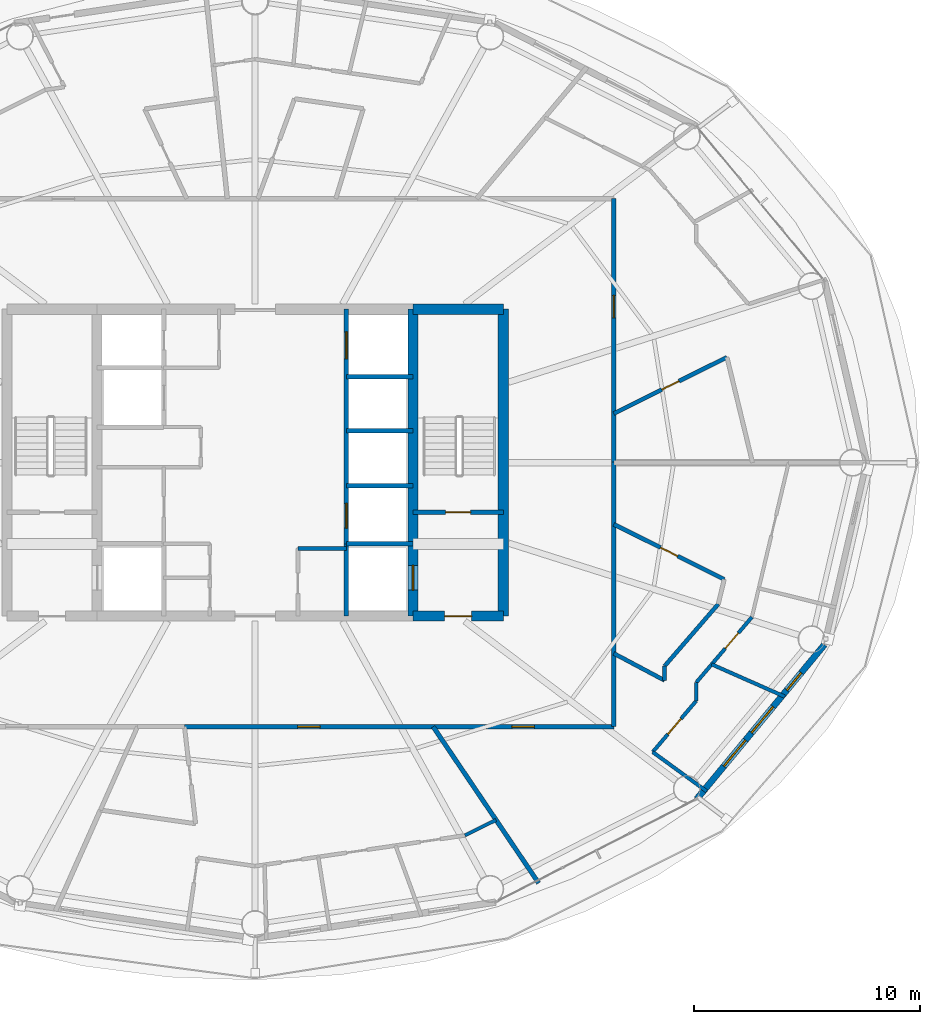
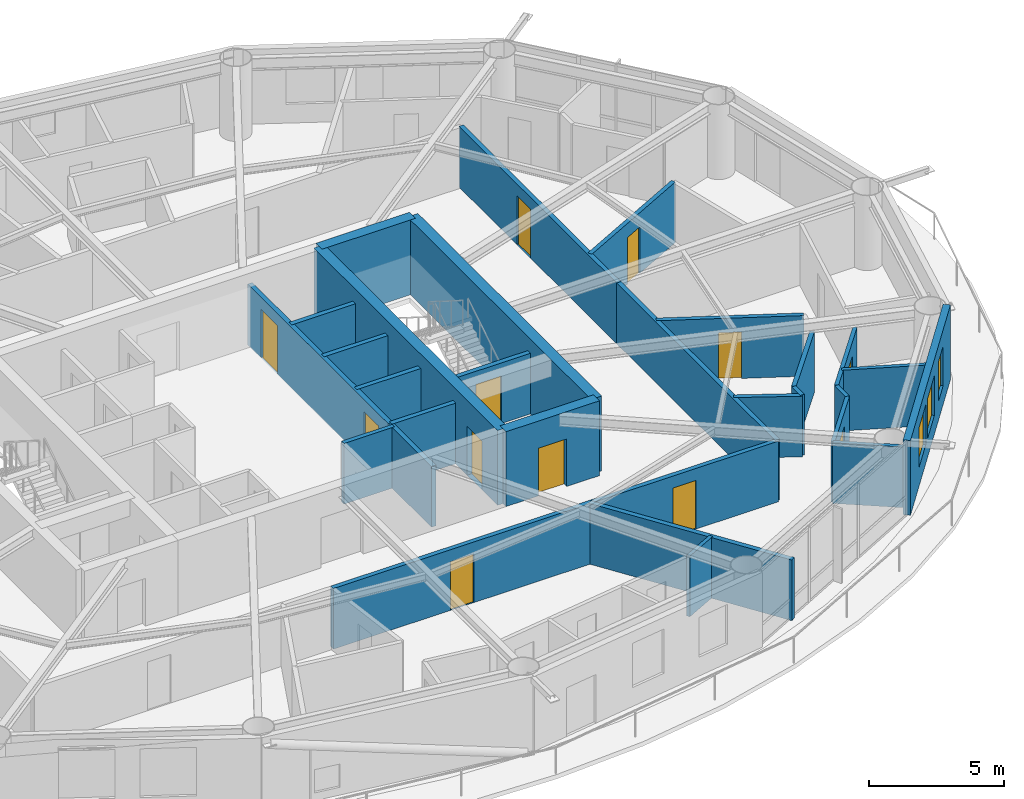
# One storey, part 22 of 28: 28 walls, 12 doors, 3 windows, 15 openings.
"""IFC4 building model written with IfcOpenShell, lengths in metres."""

from ifc_helpers import new_model, si_unit, direction, frame, frame_2d, origin, place, context, subcontext, project, spatial, rectangle, extrude, material, layer, layer_set, type_object, element, fill, save


model = new_model("IFC4")

# Units and contexts
model_context = context("Model", 3, precision=1e-05, world=origin(), true_north=direction((0.0, 1.0)))
body_context = subcontext(model_context, "Body", "Model", "MODEL_VIEW")
ifc_project = project(units=[si_unit("LENGTHUNIT", "METRE"), si_unit("AREAUNIT", "SQUARE_METRE"), si_unit("VOLUMEUNIT", "CUBIC_METRE"), si_unit("PLANEANGLEUNIT", "RADIAN"), si_unit("MASSUNIT", "GRAM", prefix="KILO")], contexts=[model_context])

# Site, building, storey
site_placement = place(None, origin())
site = spatial("IfcSite", under=ifc_project, at=site_placement, CompositionType="ELEMENT")
building_placement = place(site_placement, origin())
building = spatial("IfcBuilding", under=site, at=building_placement, Name="Sarneth Arch Tower", CompositionType="ELEMENT")
storey_placement = place(building_placement, frame((0.0, 0.0, 179.39990234375)))
storey = spatial("IfcBuildingStorey", under=building, at=storey_placement, Name="L45", CompositionType="ELEMENT", Elevation=179.39990234375)

# Wall, opening, door
ifc_material_1 = material(Name="Concrete C50/60", Category="concrete")
ifc_layer_1 = layer(ifc_material_1, 0.449951171875)
ifc_layer_set_1 = layer_set([ifc_layer_1], Name="Concrete C50/60")
wall_type_1 = type_object("IfcWallType", Name="WALL-CORE-450", PredefinedType="SHEAR", material=ifc_layer_set_1)
wall_1_placement = place(storey_placement, frame((55.0, 35.199951171875, 0.0), z_axis=(0.0, 0.0, 1.0), x_axis=(1.0, 0.0, 0.0)))
wall_1 = element("IfcWall", 1, at=wall_1_placement, inside=storey, type_object=wall_type_1, Name="L45 Core shear wall S-E", PredefinedType="SHEAR", context=body_context, shape_type="SweptSolid", body=[
    extrude(rectangle(XDim=4.0, YDim=0.449951171875, at=frame_2d((2.0, 0.0))), origin(), (0.0, 0.0, 1.0), 3.380126953125),
])
opening_1_placement = place(wall_1_placement, frame((1.39990234375, 0.0, 0.0)))
opening_1 = element("IfcOpeningElement", 2, at=opening_1_placement, cuts=wall_1, Name="Opening FD-02", PredefinedType="OPENING", context=body_context, shape_type="SweptSolid", body=[
    extrude(rectangle(XDim=1.199951171875, YDim=2.14990234375, at=frame_2d((0.60009765625, 1.074951171875))), frame((0.0, 0.23486328125, 0.0), z_axis=(0.0, -1.0, 0.0), x_axis=(1.0, 0.0, 0.0)), (0.0, 0.0, 1.0), 0.469970703125),
])
ifc_material_2 = material(Name="Galvanised Steel S275 fire door set", Category="steel")
door_type_1 = type_object("IfcDoorType", Name="DR-FD90-1200", OperationType="SINGLE_SWING_LEFT", PredefinedType="DOOR", material=ifc_material_2)
door_1_placement = place(opening_1_placement, origin())
door_1 = element("IfcDoor", 3, at=door_1_placement, inside=storey, type_object=door_type_1, Name="L45 Firefighting lobby 2 exit door", OperationType="SINGLE_SWING_RIGHT", OverallHeight=2.14990234375, OverallWidth=1.199951171875, PredefinedType="DOOR", context=body_context, shape_type="SweptSolid", body=[
    extrude(rectangle(XDim=1.199951171875, YDim=2.14990234375, at=frame_2d((0.60009765625, 1.074951171875))), frame((0.0, 0.02490234375, 0.0), z_axis=(0.0, -1.0, 0.0), x_axis=(1.0, 0.0, 0.0)), (0.0, 0.0, 1.0), 0.050048828125),
])
fill(opening_1, door_1)

# Walls
wall_2_placement = place(storey_placement, frame((55.0, 48.800048828125, 0.0), z_axis=(0.0, 0.0, 1.0), x_axis=(1.0, 0.0, 0.0)))
element("IfcWall", 4, at=wall_2_placement, inside=storey, type_object=wall_type_1, Name="L45 Core shear wall N-E", PredefinedType="SHEAR", context=body_context, shape_type="SweptSolid", body=[
    extrude(rectangle(XDim=4.0, YDim=0.449951171875, at=frame_2d((2.0, 0.0))), origin(), (0.0, 0.0, 1.0), 3.380126953125),
])
wall_3_placement = place(storey_placement, frame((59.0, 35.199951171875, 0.0), z_axis=(0.0, 0.0, 1.0), x_axis=(0.0, 1.0, 0.0)))
element("IfcWall", 5, at=wall_3_placement, inside=storey, type_object=wall_type_1, Name="L45 Core shear wall E", PredefinedType="SHEAR", context=body_context, shape_type="SweptSolid", body=[
    extrude(rectangle(XDim=13.60009765625, YDim=0.449951171875, at=frame_2d((6.800048828125, 0.0))), origin(), (0.0, 0.0, 1.0), 3.380126953125),
])

# Wall, opening, door
wall_4_placement = place(storey_placement, frame((55.0, 35.199951171875, 0.0), z_axis=(0.0, 0.0, 1.0), x_axis=(0.0, 1.0, 0.0)))
wall_4 = element("IfcWall", 6, at=wall_4_placement, inside=storey, type_object=wall_type_1, Name="L45 Core shear wall WEB-E", PredefinedType="SHEAR", context=body_context, shape_type="SweptSolid", body=[
    extrude(rectangle(XDim=13.60009765625, YDim=0.449951171875, at=frame_2d((6.800048828125, 0.0))), origin(), (0.0, 0.0, 1.0), 3.380126953125),
])
opening_2_placement = place(wall_4_placement, frame((1.14990234375, 0.0, 0.0)))
opening_2 = element("IfcOpeningElement", 7, at=opening_2_placement, cuts=wall_4, Name="Opening LD-1", PredefinedType="OPENING", context=body_context, shape_type="SweptSolid", body=[
    extrude(rectangle(XDim=1.10009765625, YDim=2.199951171875, at=frame_2d((0.550048828125, 1.10009765625))), frame((0.0, 0.23486328125, 0.0), z_axis=(0.0, -1.0, 0.0), x_axis=(1.0, 0.0, 0.0)), (0.0, 0.0, 1.0), 0.469970703125),
])
ifc_material_3 = material(Name="Brushed Stainless Steel 304 lift landing door", Category="steel")
door_type_2 = type_object("IfcDoorType", Name="DR-LIFT-SLIDE-1100", OperationType="SLIDING_TO_LEFT", PredefinedType="DOOR", material=ifc_material_3)
door_2_placement = place(opening_2_placement, origin())
door_2 = element("IfcDoor", 8, at=door_2_placement, inside=storey, type_object=door_type_2, Name="L45 Firefighting lift landing door FL-2", OperationType="SLIDING_TO_RIGHT", OverallHeight=2.199951171875, OverallWidth=1.10009765625, PredefinedType="DOOR", context=body_context, shape_type="SweptSolid", body=[
    extrude(rectangle(XDim=1.10009765625, YDim=2.199951171875, at=frame_2d((0.550048828125, 1.10009765625))), frame((0.0, 0.02490234375, 0.0), z_axis=(0.0, -1.0, 0.0), x_axis=(1.0, 0.0, 0.0)), (0.0, 0.0, 1.0), 0.050048828125),
])
fill(opening_2, door_2)

# Wall, openings, doors
ifc_material_4 = material(Name="Double steel-stud corridor fire wall", Category="steel")
ifc_layer_2 = layer(ifc_material_4, 0.18994140625)
ifc_layer_set_2 = layer_set([ifc_layer_2], Name="Double steel-stud corridor fire wall")
wall_type_2 = type_object("IfcWallType", Name="WALL-CORR-190", PredefinedType="PARTITIONING", material=ifc_layer_set_2)
wall_5_placement = place(storey_placement, frame((44.872802734375, 30.300048828125, 0.0), z_axis=(0.0, 0.0, 1.0), x_axis=(1.0, 0.0, 0.0)))
wall_5 = element("IfcWall", 9, at=wall_5_placement, inside=storey, type_object=wall_type_2, Name="L45 Interior partition W-L45-TP-015", PredefinedType="PARTITIONING", context=body_context, shape_type="SweptSolid", body=[
    extrude(rectangle(XDim=19.027099609375, YDim=0.18994140625, at=frame_2d((9.513671875, 0.0))), origin(), (0.0, 0.0, 1.0), 2.739990234375),
])
opening_3_placement = place(wall_5_placement, frame((5.009521484375, 0.0, 0.0)))
opening_3 = element("IfcOpeningElement", 10, at=opening_3_placement, cuts=wall_5, Name="Opening FD-08", PredefinedType="OPENING", context=body_context, shape_type="SweptSolid", body=[
    extrude(rectangle(XDim=1.0, YDim=2.199951171875, at=frame_2d((0.5, 1.10009765625))), frame((0.0, 0.10498046875, 0.0), z_axis=(0.0, -1.0, 0.0), x_axis=(1.0, 0.0, 0.0)), (0.0, 0.0, 1.0), 0.2099609375),
])
opening_4_placement = place(wall_5_placement, frame((14.503662109375, 0.0, 0.0)))
opening_4 = element("IfcOpeningElement", 11, at=opening_4_placement, cuts=wall_5, Name="Opening FD-08", PredefinedType="OPENING", context=body_context, shape_type="SweptSolid", body=[
    extrude(rectangle(XDim=1.0, YDim=2.199951171875, at=frame_2d((0.5, 1.10009765625))), frame((0.0, 0.10498046875, 0.0), z_axis=(0.0, -1.0, 0.0), x_axis=(1.0, 0.0, 0.0)), (0.0, 0.0, 1.0), 0.2099609375),
])
ifc_material_5 = material(Name="Hardwood timber acoustic fire door", Category="wood")
door_type_3 = type_object("IfcDoorType", Name="DR-FD60-1000", OperationType="SINGLE_SWING_LEFT", PredefinedType="DOOR", material=ifc_material_5)
door_3_placement = place(opening_3_placement, origin())
door_3 = element("IfcDoor", 12, at=door_3_placement, inside=storey, type_object=door_type_3, Name="L45 Interior door DR-L45-U6-ENT", OperationType="SINGLE_SWING_LEFT", OverallHeight=2.199951171875, OverallWidth=1.0, PredefinedType="DOOR", context=body_context, shape_type="SweptSolid", body=[
    extrude(rectangle(XDim=1.0, YDim=2.199951171875, at=frame_2d((0.5, 1.10009765625))), frame((0.0, 0.02490234375, 0.0), z_axis=(0.0, -1.0, 0.0), x_axis=(1.0, 0.0, 0.0)), (0.0, 0.0, 1.0), 0.050048828125),
])
fill(opening_3, door_3)
door_4_placement = place(opening_4_placement, origin())
door_4 = element("IfcDoor", 13, at=door_4_placement, inside=storey, type_object=door_type_3, Name="L45 Interior door DR-L45-U7-ENT", OperationType="SINGLE_SWING_LEFT", OverallHeight=2.199951171875, OverallWidth=1.0, PredefinedType="DOOR", context=body_context, shape_type="SweptSolid", body=[
    extrude(rectangle(XDim=1.0, YDim=2.199951171875, at=frame_2d((0.5, 1.10009765625))), frame((0.0, 0.02490234375, 0.0), z_axis=(0.0, -1.0, 0.0), x_axis=(1.0, 0.0, 0.0)), (0.0, 0.0, 1.0), 0.050048828125),
])
fill(opening_4, door_4)

# Wall, opening, door
wall_6_placement = place(storey_placement, frame((63.89990234375, 53.699951171875, 0.0), z_axis=(0.0, 0.0, 1.0), x_axis=(0.0, -1.0, 0.0)))
wall_6 = element("IfcWall", 14, at=wall_6_placement, inside=storey, type_object=wall_type_2, Name="L45 Interior partition W-L45-TP-002", PredefinedType="PARTITIONING", context=body_context, shape_type="SweptSolid", body=[
    extrude(rectangle(XDim=11.73193359375, YDim=0.18994140625, at=frame_2d((5.865966796875, 0.0))), origin(), (0.0, 0.0, 1.0), 2.739990234375),
])
opening_5_placement = place(wall_6_placement, frame((4.280517578125, 0.0, 0.0)))
opening_5 = element("IfcOpeningElement", 15, at=opening_5_placement, cuts=wall_6, Name="Opening FD-08", PredefinedType="OPENING", context=body_context, shape_type="SweptSolid", body=[
    extrude(rectangle(XDim=1.0, YDim=2.199951171875, at=frame_2d((0.5, 1.10009765625))), frame((0.0, 0.10498046875, 0.0), z_axis=(0.0, -1.0, 0.0), x_axis=(1.0, 0.0, 0.0)), (0.0, 0.0, 1.0), 0.2099609375),
])
door_5_placement = place(opening_5_placement, origin())
door_5 = element("IfcDoor", 16, at=door_5_placement, inside=storey, type_object=door_type_3, Name="L45 Interior door DR-L45-U1-ENT", OperationType="SINGLE_SWING_LEFT", OverallHeight=2.199951171875, OverallWidth=1.0, PredefinedType="DOOR", context=body_context, shape_type="SweptSolid", body=[
    extrude(rectangle(XDim=1.0, YDim=2.199951171875, at=frame_2d((0.5, 1.10009765625))), frame((0.0, 0.02490234375, 0.0), z_axis=(0.0, -1.0, 0.0), x_axis=(1.0, 0.0, 0.0)), (0.0, 0.0, 1.0), 0.050048828125),
])
fill(opening_5, door_5)

# Wall
wall_7_placement = place(storey_placement, frame((63.89990234375, 42.031982421875, 0.0), z_axis=(0.0, 0.0, 1.0), x_axis=(0.0, -1.0, 0.0)))
element("IfcWall", 17, at=wall_7_placement, inside=storey, type_object=wall_type_2, Name="L45 Interior partition W-L45-TP-020", PredefinedType="PARTITIONING", context=body_context, shape_type="SweptSolid", body=[
    extrude(rectangle(XDim=11.73193359375, YDim=0.18994140625, at=frame_2d((5.865966796875, 0.0))), origin(), (0.0, 0.0, 1.0), 2.739990234375),
])

# Wall, openings, windows
ifc_material_6 = material(Name="Extruded terracotta rainscreen on Concrete C40/50 backing", Category="masonry")
ifc_layer_3 = layer(ifc_material_6, 0.280029296875)
ifc_layer_set_3 = layer_set([ifc_layer_3], Name="Extruded terracotta rainscreen on Concrete C40/50 backing")
wall_type_3 = type_object("IfcWallType", Name="WALL-EXT-TERRA-280", PredefinedType="SOLIDWALL", material=ifc_layer_set_3)
wall_8_placement = place(storey_placement, frame((67.576171875, 27.09423828125, 0.0), z_axis=(0.0, 0.0, 1.0), x_axis=(0.637333477683, 0.770588111915, 0.0)))
wall_8 = element("IfcWall", 18, at=wall_8_placement, inside=storey, type_object=wall_type_3, Name="L45 Terracotta perimeter wall 15", PredefinedType="SOLIDWALL", context=body_context, shape_type="SweptSolid", body=[
    extrude(rectangle(XDim=8.874755859375, YDim=0.280029296875, at=frame_2d((4.4375, 0.0))), origin(), (0.0, 0.0, 1.0), 3.380126953125),
])
opening_6_placement = place(wall_8_placement, frame((1.885009765625, 0.0, 0.85009765625)))
opening_6 = element("IfcOpeningElement", 19, at=opening_6_placement, cuts=wall_8, Name="Opening W-07", PredefinedType="OPENING", context=body_context, shape_type="SweptSolid", body=[
    extrude(rectangle(XDim=1.5, YDim=1.800048828125, at=frame_2d((0.75, 0.89990234375))), frame((0.0, 0.14990234375, 0.0), z_axis=(0.0, -1.0, 0.0), x_axis=(1.0, 0.0, 0.0)), (0.0, 0.0, 1.0), 0.300048828125),
])
opening_7_placement = place(wall_8_placement, frame((3.80859375, 0.0, 0.85009765625)))
opening_7 = element("IfcOpeningElement", 20, at=opening_7_placement, cuts=wall_8, Name="Opening W-07", PredefinedType="OPENING", context=body_context, shape_type="SweptSolid", body=[
    extrude(rectangle(XDim=1.5, YDim=1.800048828125, at=frame_2d((0.75, 0.89990234375))), frame((0.0, 0.14990234375, 0.0), z_axis=(0.0, -1.0, 0.0), x_axis=(1.0, 0.0, 0.0)), (0.0, 0.0, 1.0), 0.300048828125),
])
opening_8_placement = place(wall_8_placement, frame((6.2646484375, 0.0, 0.85009765625)))
opening_8 = element("IfcOpeningElement", 21, at=opening_8_placement, cuts=wall_8, Name="Opening W-11", PredefinedType="OPENING", context=body_context, shape_type="SweptSolid", body=[
    extrude(rectangle(XDim=1.0, YDim=1.800048828125, at=frame_2d((0.5, 0.89990234375))), frame((0.0, 0.14990234375, 0.0), z_axis=(0.0, -1.0, 0.0), x_axis=(1.0, 0.0, 0.0)), (0.0, 0.0, 1.0), 0.300048828125),
])
ifc_material_7 = material(Name="Thermally broken Aluminium 6063-T6 and low-e laminated IGU", Category="aluminium")
window_type_1 = type_object("IfcWindowType", Name="WIN-TWR-1000x1800", PartitioningType="SINGLE_PANEL", PredefinedType="WINDOW", material=ifc_material_7)
window_1_placement = place(opening_8_placement, origin())
window_1 = element("IfcWindow", 22, at=window_1_placement, inside=storey, type_object=window_type_1, Name="L45 Exterior window 15C", OverallHeight=1.800048828125, OverallWidth=1.0, PartitioningType="SINGLE_PANEL", PredefinedType="WINDOW", context=body_context, shape_type="SweptSolid", body=[
    extrude(rectangle(XDim=1.0, YDim=1.800048828125, at=frame_2d((0.5, 0.89990234375))), frame((0.0, 0.030029296875, 0.0), z_axis=(0.0, -1.0, 0.0), x_axis=(1.0, 0.0, 0.0)), (0.0, 0.0, 1.0), 0.06005859375),
])
fill(opening_8, window_1)
ifc_material_8 = material(Name="Thermally broken Aluminium 6063-T6 and low-e laminated IGU", Category="aluminium")
window_type_2 = type_object("IfcWindowType", Name="WIN-TWR-1500x1800", PartitioningType="SINGLE_PANEL", PredefinedType="WINDOW", material=ifc_material_8)
window_2_placement = place(opening_6_placement, origin())
window_2 = element("IfcWindow", 23, at=window_2_placement, inside=storey, type_object=window_type_2, Name="L45 Exterior window 15A", OverallHeight=1.800048828125, OverallWidth=1.5, PartitioningType="SINGLE_PANEL", PredefinedType="WINDOW", context=body_context, shape_type="SweptSolid", body=[
    extrude(rectangle(XDim=1.5, YDim=1.800048828125, at=frame_2d((0.75, 0.89990234375))), frame((0.0, 0.030029296875, 0.0), z_axis=(0.0, -1.0, 0.0), x_axis=(1.0, 0.0, 0.0)), (0.0, 0.0, 1.0), 0.06005859375),
])
fill(opening_6, window_2)
window_3_placement = place(opening_7_placement, origin())
window_3 = element("IfcWindow", 24, at=window_3_placement, inside=storey, type_object=window_type_2, Name="L45 Exterior window 15B", OverallHeight=1.800048828125, OverallWidth=1.5, PartitioningType="SINGLE_PANEL", PredefinedType="WINDOW", context=body_context, shape_type="SweptSolid", body=[
    extrude(rectangle(XDim=1.5, YDim=1.800048828125, at=frame_2d((0.75, 0.89990234375))), frame((0.0, 0.030029296875, 0.0), z_axis=(0.0, -1.0, 0.0), x_axis=(1.0, 0.0, 0.0)), (0.0, 0.0, 1.0), 0.06005859375),
])
fill(opening_7, window_3)

# Walls
ifc_material_9 = material(Name="Acoustic gypsum stud partition", Category="gypsum")
ifc_layer_4 = layer(ifc_material_9, 0.14990234375)
ifc_layer_set_4 = layer_set([ifc_layer_4], Name="Acoustic gypsum stud partition")
wall_type_4 = type_object("IfcWallType", Name="WALL-PART-150", PredefinedType="PARTITIONING", material=ifc_layer_set_4)
wall_9_placement = place(storey_placement, frame((57.30517578125, 25.48095703125, 0.0), z_axis=(0.0, 0.0, 1.0), x_axis=(0.89499854631, 0.446069055308, 0.0)))
element("IfcWall", 25, at=wall_9_placement, inside=storey, type_object=wall_type_4, Name="L45 Interior partition W-L45-TP-093", PredefinedType="PARTITIONING", context=body_context, shape_type="SweptSolid", body=[
    extrude(rectangle(XDim=1.536376953125, YDim=0.14990234375, at=frame_2d((0.76806640625, 0.0))), origin(), (0.0, 0.0, 1.0), 2.739990234375),
])
ifc_material_10 = material(Name="Kitchen wet service chase wall", Category="gypsum")
ifc_layer_5 = layer(ifc_material_10, 0.159912109375)
ifc_layer_set_5 = layer_set([ifc_layer_5], Name="Kitchen wet service chase wall")
wall_type_5 = type_object("IfcWallType", Name="WALL-PLUMB-160", PredefinedType="PLUMBINGWALL", material=ifc_layer_set_5)
wall_10_placement = place(storey_placement, frame((71.477783203125, 31.63037109375, 0.0), z_axis=(0.0, 0.0, 1.0), x_axis=(-0.914752340799, 0.40401504304, 0.0)))
element("IfcWall", 26, at=wall_10_placement, inside=storey, type_object=wall_type_5, Name="L45 Interior partition W-L45-TP-111", PredefinedType="PLUMBINGWALL", context=body_context, shape_type="SweptSolid", body=[
    extrude(rectangle(XDim=3.54345703125, YDim=0.159912109375, at=frame_2d((1.771728515625, 0.0))), origin(), (0.0, 0.0, 1.0), 2.739990234375),
])

# Wall, opening, door
wall_11_placement = place(storey_placement, frame((67.550048828125, 31.443359375, 0.0), z_axis=(0.0, 0.0, 1.0), x_axis=(-0.647915118337, -0.761712543832, 0.0)))
wall_11 = element("IfcWall", 27, at=wall_11_placement, inside=storey, type_object=wall_type_5, Name="L45 Interior partition W-L45-TP-101", PredefinedType="PLUMBINGWALL", context=body_context, shape_type="SweptSolid", body=[
    extrude(rectangle(XDim=2.9755859375, YDim=0.159912109375, at=frame_2d((1.48779296875, 0.0))), origin(), (0.0, 0.0, 1.0), 2.739990234375),
])
opening_9_placement = place(wall_11_placement, frame((1.037841796875, 0.0, 0.0)))
opening_9 = element("IfcOpeningElement", 28, at=opening_9_placement, cuts=wall_11, Name="Opening ID-01", PredefinedType="OPENING", context=body_context, shape_type="SweptSolid", body=[
    extrude(rectangle(XDim=0.89990234375, YDim=2.10009765625, at=frame_2d((0.449951171875, 1.050048828125))), frame((0.0, 0.08984375, 0.0), z_axis=(0.0, -1.0, 0.0), x_axis=(1.0, 0.0, 0.0)), (0.0, 0.0, 1.0), 0.179931640625),
])
ifc_material_11 = material(Name="Engineered hardwood flush door", Category="wood")
door_type_4 = type_object("IfcDoorType", Name="DR-INT-900", OperationType="SINGLE_SWING_LEFT", PredefinedType="DOOR", material=ifc_material_11)
door_6_placement = place(opening_9_placement, origin())
door_6 = element("IfcDoor", 29, at=door_6_placement, inside=storey, type_object=door_type_4, Name="L45 Interior door DR-L45-U7-KIT", OperationType="SINGLE_SWING_LEFT", OverallHeight=2.10009765625, OverallWidth=0.89990234375, PredefinedType="DOOR", context=body_context, shape_type="SweptSolid", body=[
    extrude(rectangle(XDim=0.89990234375, YDim=2.10009765625, at=frame_2d((0.449951171875, 1.050048828125))), frame((0.0, 0.02490234375, 0.0), z_axis=(0.0, -1.0, 0.0), x_axis=(1.0, 0.0, 0.0)), (0.0, 0.0, 1.0), 0.050048828125),
])
fill(opening_9, door_6)

# Wall
wall_12_placement = place(storey_placement, frame((65.6220703125, 29.1767578125, 0.0), z_axis=(0.0, 0.0, 1.0), x_axis=(0.808600464561, -0.588358129638, 0.0)))
element("IfcWall", 30, at=wall_12_placement, inside=storey, type_object=wall_type_5, Name="L45 Interior partition W-L45-TP-102", PredefinedType="PLUMBINGWALL", context=body_context, shape_type="SweptSolid", body=[
    extrude(rectangle(XDim=2.95849609375, YDim=0.159912109375, at=frame_2d((1.479248046875, 0.0))), origin(), (0.0, 0.0, 1.0), 2.739990234375),
])

# Wall, opening, door
wall_13_placement = place(storey_placement, frame((67.550048828125, 32.255615234375, 0.0), z_axis=(0.0, 0.0, 1.0), x_axis=(0.648059335437, 0.761589848773, 0.0)))
wall_13 = element("IfcWall", 31, at=wall_13_placement, inside=storey, type_object=wall_type_5, Name="L45 Interior partition W-L45-TP-108", PredefinedType="PLUMBINGWALL", context=body_context, shape_type="SweptSolid", body=[
    extrude(rectangle(XDim=3.810546875, YDim=0.159912109375, at=frame_2d((1.9052734375, 0.0))), origin(), (0.0, 0.0, 1.0), 2.739990234375),
])
opening_10_placement = place(wall_13_placement, frame((1.98486328125, 0.0, 0.0)))
opening_10 = element("IfcOpeningElement", 32, at=opening_10_placement, cuts=wall_13, Name="Opening ID-01", PredefinedType="OPENING", context=body_context, shape_type="SweptSolid", body=[
    extrude(rectangle(XDim=0.89990234375, YDim=2.10009765625, at=frame_2d((0.449951171875, 1.050048828125))), frame((0.0, 0.08984375, 0.0), z_axis=(0.0, -1.0, 0.0), x_axis=(1.0, 0.0, 0.0)), (0.0, 0.0, 1.0), 0.179931640625),
])
door_7_placement = place(opening_10_placement, origin())
door_7 = element("IfcDoor", 33, at=door_7_placement, inside=storey, type_object=door_type_4, Name="L45 Interior door DR-L45-U7-BED1", OperationType="SINGLE_SWING_RIGHT", OverallHeight=2.10009765625, OverallWidth=0.89990234375, PredefinedType="DOOR", context=body_context, shape_type="SweptSolid", body=[
    extrude(rectangle(XDim=0.89990234375, YDim=2.10009765625, at=frame_2d((0.449951171875, 1.050048828125))), frame((0.0, 0.02490234375, 0.0), z_axis=(0.0, -1.0, 0.0), x_axis=(1.0, 0.0, 0.0)), (0.0, 0.0, 1.0), 0.050048828125),
])
fill(opening_10, door_7)

# Walls
wall_14_placement = place(storey_placement, frame((67.550048828125, 32.255615234375, 0.0), z_axis=(0.0, 0.0, 1.0), x_axis=(0.0, -1.0, 0.0)))
element("IfcWall", 34, at=wall_14_placement, inside=storey, type_object=wall_type_5, Name="L45 Interior partition W-L45-TP-100", PredefinedType="PLUMBINGWALL", context=body_context, shape_type="SweptSolid", body=[
    extrude(rectangle(XDim=0.812255859375, YDim=0.159912109375, at=frame_2d((0.40625, 0.0))), origin(), (0.0, 0.0, 1.0), 2.739990234375),
])
ifc_material_12 = material(Name="Moisture-resistant plumbing chase wall", Category="gypsum")
ifc_layer_6 = layer(ifc_material_12, 0.179931640625)
ifc_layer_set_6 = layer_set([ifc_layer_6], Name="Moisture-resistant plumbing chase wall")
wall_type_6 = type_object("IfcWallType", Name="WALL-PLUMB-180", PredefinedType="PLUMBINGWALL", material=ifc_layer_set_6)
wall_15_placement = place(storey_placement, frame((49.89990234375, 38.199951171875, 0.0), z_axis=(0.0, 0.0, 1.0), x_axis=(1.0, 0.0, 0.0)))
element("IfcWall", 35, at=wall_15_placement, inside=storey, type_object=wall_type_6, Name="L45 Interior partition W-L45-AWC-N", PredefinedType="PLUMBINGWALL", context=body_context, shape_type="SweptSolid", body=[
    extrude(rectangle(XDim=2.150146484375, YDim=0.179931640625, at=frame_2d((1.0751953125, 0.0))), origin(), (0.0, 0.0, 1.0), 2.739990234375),
])

# Wall, opening, door
wall_16_placement = place(storey_placement, frame((63.89990234375, 44.174560546875, 0.0), z_axis=(0.0, 0.0, 1.0), x_axis=(0.894853920946, 0.446359115699, 0.0)))
wall_16 = element("IfcWall", 36, at=wall_16_placement, inside=storey, type_object=wall_type_6, Name="L45 Interior partition W-L45-TP-025", PredefinedType="PLUMBINGWALL", context=body_context, shape_type="SweptSolid", body=[
    extrude(rectangle(XDim=5.601318359375, YDim=0.179931640625, at=frame_2d((2.80078125, 0.0))), origin(), (0.0, 0.0, 1.0), 2.739990234375),
])
opening_11_placement = place(wall_16_placement, frame((2.37548828125, 0.0, 0.0)))
opening_11 = element("IfcOpeningElement", 37, at=opening_11_placement, cuts=wall_16, Name="Opening ID-02", PredefinedType="OPENING", context=body_context, shape_type="SweptSolid", body=[
    extrude(rectangle(XDim=0.85009765625, YDim=2.10009765625, at=frame_2d((0.425048828125, 1.050048828125))), frame((0.0, 0.099853515625, 0.0), z_axis=(0.0, -1.0, 0.0), x_axis=(1.0, 0.0, 0.0)), (0.0, 0.0, 1.0), 0.199951171875),
])
ifc_material_13 = material(Name="Moisture-resistant bathroom timber door", Category="wood")
door_type_5 = type_object("IfcDoorType", Name="DR-INT-850", OperationType="SINGLE_SWING_RIGHT", PredefinedType="DOOR", material=ifc_material_13)
door_8_placement = place(opening_11_placement, origin())
door_8 = element("IfcDoor", 38, at=door_8_placement, inside=storey, type_object=door_type_5, Name="L45 Interior door DR-L45-U1-BATH", OperationType="SINGLE_SWING_LEFT", OverallHeight=2.10009765625, OverallWidth=0.85009765625, PredefinedType="DOOR", context=body_context, shape_type="SweptSolid", body=[
    extrude(rectangle(XDim=0.85009765625, YDim=2.10009765625, at=frame_2d((0.425048828125, 1.050048828125))), frame((0.0, 0.02490234375, 0.0), z_axis=(0.0, -1.0, 0.0), x_axis=(1.0, 0.0, 0.0)), (0.0, 0.0, 1.0), 0.050048828125),
])
fill(opening_11, door_8)

wall_17_placement = place(storey_placement, frame((68.7919921875, 36.828369140625, 0.0), z_axis=(0.0, 0.0, 1.0), x_axis=(-0.894873333185, 0.44632019622, 0.0)))
wall_17 = element("IfcWall", 39, at=wall_17_placement, inside=storey, type_object=wall_type_6, Name="L45 Interior partition W-L45-TP-107", PredefinedType="PLUMBINGWALL", context=body_context, shape_type="SweptSolid", body=[
    extrude(rectangle(XDim=5.466796875, YDim=0.179931640625, at=frame_2d((2.7333984375, 0.0))), origin(), (0.0, 0.0, 1.0), 2.739990234375),
])
opening_12_placement = place(wall_17_placement, frame((2.308349609375, 0.0, 0.0)))
opening_12 = element("IfcOpeningElement", 40, at=opening_12_placement, cuts=wall_17, Name="Opening ID-02", PredefinedType="OPENING", context=body_context, shape_type="SweptSolid", body=[
    extrude(rectangle(XDim=0.85009765625, YDim=2.10009765625, at=frame_2d((0.425048828125, 1.050048828125))), frame((0.0, 0.099853515625, 0.0), z_axis=(0.0, -1.0, 0.0), x_axis=(1.0, 0.0, 0.0)), (0.0, 0.0, 1.0), 0.199951171875),
])
door_9_placement = place(opening_12_placement, origin())
door_9 = element("IfcDoor", 41, at=door_9_placement, inside=storey, type_object=door_type_5, Name="L45 Interior door DR-L45-U7-BATH", OperationType="SINGLE_SWING_LEFT", OverallHeight=2.10009765625, OverallWidth=0.85009765625, PredefinedType="DOOR", context=body_context, shape_type="SweptSolid", body=[
    extrude(rectangle(XDim=0.85009765625, YDim=2.10009765625, at=frame_2d((0.425048828125, 1.050048828125))), frame((0.0, 0.02490234375, 0.0), z_axis=(0.0, -1.0, 0.0), x_axis=(1.0, 0.0, 0.0)), (0.0, 0.0, 1.0), 0.050048828125),
])
fill(opening_12, door_9)

# Walls
wall_18_placement = place(storey_placement, frame((66.14990234375, 32.9873046875, 0.0), z_axis=(0.0, 0.0, 1.0), x_axis=(0.654577130551, 0.755995224958, 0.0)))
element("IfcWall", 42, at=wall_18_placement, inside=storey, type_object=wall_type_6, Name="L45 Interior partition W-L45-TP-105", PredefinedType="PLUMBINGWALL", context=body_context, shape_type="SweptSolid", body=[
    extrude(rectangle(XDim=3.630126953125, YDim=0.179931640625, at=frame_2d((1.81494140625, 0.0))), origin(), (0.0, 0.0, 1.0), 2.739990234375),
])
wall_19_placement = place(storey_placement, frame((63.89990234375, 33.5458984375, 0.0), z_axis=(0.0, 0.0, 1.0), x_axis=(0.882956890564, -0.469454075929, 0.0)))
element("IfcWall", 43, at=wall_19_placement, inside=storey, type_object=wall_type_6, Name="L45 Interior partition W-L45-TP-103", PredefinedType="PLUMBINGWALL", context=body_context, shape_type="SweptSolid", body=[
    extrude(rectangle(XDim=2.54833984375, YDim=0.179931640625, at=frame_2d((1.274169921875, 0.0))), origin(), (0.0, 0.0, 1.0), 2.739990234375),
])
wall_20_placement = place(storey_placement, frame((66.14990234375, 32.349609375, 0.0), z_axis=(0.0, 0.0, 1.0), x_axis=(0.0, 1.0, 0.0)))
element("IfcWall", 44, at=wall_20_placement, inside=storey, type_object=wall_type_6, Name="L45 Interior partition W-L45-TP-104", PredefinedType="PLUMBINGWALL", context=body_context, shape_type="SweptSolid", body=[
    extrude(rectangle(XDim=0.6376953125, YDim=0.179931640625, at=frame_2d((0.31884765625, 0.0))), origin(), (0.0, 0.0, 1.0), 2.739990234375),
])

# Wall, opening, door
ifc_material_14 = material(Name="Aerated concrete blockwork C25/30", Category="masonry")
ifc_layer_7 = layer(ifc_material_14, 0.199951171875)
ifc_layer_set_7 = layer_set([ifc_layer_7], Name="Aerated concrete blockwork C25/30")
wall_type_7 = type_object("IfcWallType", Name="WALL-SHAFT-200", PredefinedType="SOLIDWALL", material=ifc_layer_set_7)
wall_21_placement = place(storey_placement, frame((55.0, 39.800048828125, 0.0), z_axis=(0.0, 0.0, 1.0), x_axis=(1.0, 0.0, 0.0)))
wall_21 = element("IfcWall", 45, at=wall_21_placement, inside=storey, type_object=wall_type_7, Name="L45 Interior partition W-L45-ST2-S", PredefinedType="SOLIDWALL", context=body_context, shape_type="SweptSolid", body=[
    extrude(rectangle(XDim=4.0, YDim=0.199951171875, at=frame_2d((2.0, 0.0))), origin(), (0.0, 0.0, 1.0), 2.739990234375),
])
opening_13_placement = place(wall_21_placement, frame((1.449951171875, 0.0, 0.0)))
opening_13 = element("IfcOpeningElement", 46, at=opening_13_placement, cuts=wall_21, Name="Opening FD-03", PredefinedType="OPENING", context=body_context, shape_type="SweptSolid", body=[
    extrude(rectangle(XDim=1.10009765625, YDim=2.14990234375, at=frame_2d((0.550048828125, 1.074951171875))), frame((0.0, 0.10986328125, 0.0), z_axis=(0.0, -1.0, 0.0), x_axis=(1.0, 0.0, 0.0)), (0.0, 0.0, 1.0), 0.219970703125),
])
ifc_material_15 = material(Name="Galvanised Steel S275 fire door set", Category="steel")
door_type_6 = type_object("IfcDoorType", Name="DR-FD90-1100", OperationType="SINGLE_SWING_LEFT", PredefinedType="DOOR", material=ifc_material_15)
door_10_placement = place(opening_13_placement, origin())
door_10 = element("IfcDoor", 47, at=door_10_placement, inside=storey, type_object=door_type_6, Name="L45 Interior door DR-L45-ST2", OperationType="SINGLE_SWING_RIGHT", OverallHeight=2.14990234375, OverallWidth=1.10009765625, PredefinedType="DOOR", context=body_context, shape_type="SweptSolid", body=[
    extrude(rectangle(XDim=1.10009765625, YDim=2.14990234375, at=frame_2d((0.550048828125, 1.074951171875))), frame((0.0, 0.02490234375, 0.0), z_axis=(0.0, -1.0, 0.0), x_axis=(1.0, 0.0, 0.0)), (0.0, 0.0, 1.0), 0.050048828125),
])
fill(opening_13, door_10)

# Walls
wall_22_placement = place(storey_placement, frame((52.050048828125, 35.199951171875, 0.0), z_axis=(0.0, 0.0, 1.0), x_axis=(0.0, 1.0, 0.0)))
element("IfcWall", 48, at=wall_22_placement, inside=storey, type_object=wall_type_7, Name="L45 Interior partition W-L45-FL2-W", PredefinedType="SOLIDWALL", context=body_context, shape_type="SweptSolid", body=[
    extrude(rectangle(XDim=3.199951171875, YDim=0.199951171875, at=frame_2d((1.60009765625, 0.0))), origin(), (0.0, 0.0, 1.0), 2.739990234375),
])
wall_23_placement = place(storey_placement, frame((52.050048828125, 38.39990234375, 0.0), z_axis=(0.0, 0.0, 1.0), x_axis=(1.0, 0.0, 0.0)))
element("IfcWall", 49, at=wall_23_placement, inside=storey, type_object=wall_type_7, Name="L45 Interior partition W-L45-FL2-N", PredefinedType="SOLIDWALL", context=body_context, shape_type="SweptSolid", body=[
    extrude(rectangle(XDim=2.949951171875, YDim=0.199951171875, at=frame_2d((1.47509765625, 0.0))), origin(), (0.0, 0.0, 1.0), 2.739990234375),
])

# Wall, openings, doors
wall_24_placement = place(storey_placement, frame((52.050048828125, 38.39990234375, 0.0), z_axis=(0.0, 0.0, 1.0), x_axis=(0.0, 1.0, 0.0)))
wall_24 = element("IfcWall", 50, at=wall_24_placement, inside=storey, type_object=wall_type_7, Name="L45 Interior partition W-L45-EASTBANK-FRONT", PredefinedType="SOLIDWALL", context=body_context, shape_type="SweptSolid", body=[
    extrude(rectangle(XDim=10.400146484375, YDim=0.199951171875, at=frame_2d((5.2001953125, 0.0))), origin(), (0.0, 0.0, 1.0), 2.739990234375),
])
opening_14_placement = place(wall_24_placement, frame((0.699951171875, 0.0, 0.0)))
opening_14 = element("IfcOpeningElement", 51, at=opening_14_placement, cuts=wall_24, Name="Opening LD-1", PredefinedType="OPENING", context=body_context, shape_type="SweptSolid", body=[
    extrude(rectangle(XDim=1.10009765625, YDim=2.199951171875, at=frame_2d((0.550048828125, 1.10009765625))), frame((0.0, 0.10986328125, 0.0), z_axis=(0.0, -1.0, 0.0), x_axis=(1.0, 0.0, 0.0)), (0.0, 0.0, 1.0), 0.219970703125),
])
opening_15_placement = place(wall_24_placement, frame((8.199951171875, 0.0, 0.0)))
opening_15 = element("IfcOpeningElement", 52, at=opening_15_placement, cuts=wall_24, Name="Opening LD-2", PredefinedType="OPENING", context=body_context, shape_type="SweptSolid", body=[
    extrude(rectangle(XDim=1.199951171875, YDim=2.199951171875, at=frame_2d((0.60009765625, 1.10009765625))), frame((0.0, 0.10986328125, 0.0), z_axis=(0.0, -1.0, 0.0), x_axis=(1.0, 0.0, 0.0)), (0.0, 0.0, 1.0), 0.219970703125),
])
door_11_placement = place(opening_14_placement, origin())
door_11 = element("IfcDoor", 53, at=door_11_placement, inside=storey, type_object=door_type_2, Name="L45 Lift landing door DR-L45-LD-PM2", OperationType="SLIDING_TO_LEFT", OverallHeight=2.199951171875, OverallWidth=1.10009765625, PredefinedType="DOOR", context=body_context, shape_type="SweptSolid", body=[
    extrude(rectangle(XDim=1.10009765625, YDim=2.199951171875, at=frame_2d((0.550048828125, 1.10009765625))), frame((0.0, 0.02490234375, 0.0), z_axis=(0.0, -1.0, 0.0), x_axis=(1.0, 0.0, 0.0)), (0.0, 0.0, 1.0), 0.050048828125),
])
fill(opening_14, door_11)
ifc_material_16 = material(Name="Brushed Stainless Steel 304 service lift door", Category="steel")
door_type_7 = type_object("IfcDoorType", Name="DR-LIFT-SLIDE-1200", OperationType="SLIDING_TO_RIGHT", PredefinedType="DOOR", material=ifc_material_16)
door_12_placement = place(opening_15_placement, origin())
door_12 = element("IfcDoor", 54, at=door_12_placement, inside=storey, type_object=door_type_7, Name="L45 Lift landing door DR-L45-LD-SL1", OperationType="SLIDING_TO_RIGHT", OverallHeight=2.199951171875, OverallWidth=1.199951171875, PredefinedType="DOOR", context=body_context, shape_type="SweptSolid", body=[
    extrude(rectangle(XDim=1.199951171875, YDim=2.199951171875, at=frame_2d((0.60009765625, 1.10009765625))), frame((0.0, 0.02490234375, 0.0), z_axis=(0.0, -1.0, 0.0), x_axis=(1.0, 0.0, 0.0)), (0.0, 0.0, 1.0), 0.050048828125),
])
fill(opening_15, door_12)

# Walls
for number, where, z_axis, x_axis, name in (
    (55, (52.050048828125, 40.97998046875, 0.0), (0.0, 0.0, 1.0), (1.0, 0.0, 0.0), "L45 Interior partition W-L45-EB-DIV-4098"),
    (56, (52.050048828125, 43.419921875, 0.0), (0.0, 0.0, 1.0), (1.0, 0.0, 0.0), "L45 Interior partition W-L45-EB-DIV-4342"),
    (57, (52.050048828125, 45.800048828125, 0.0), (0.0, 0.0, 1.0), (1.0, 0.0, 0.0), "L45 Interior partition W-L45-EB-DIV-4580"),
):
    element("IfcWall", number, at=place(storey_placement, frame(where, z_axis=z_axis, x_axis=x_axis)), inside=storey, type_object=wall_type_7, Name=name, PredefinedType="SOLIDWALL", context=body_context, shape_type="SweptSolid", body=[
        extrude(rectangle(XDim=2.949951171875, YDim=0.199951171875, at=frame_2d((1.47509765625, 0.0))), origin(), (0.0, 0.0, 1.0), 2.739990234375),
    ])
ifc_material_17 = material(Name="Double steel-stud acoustic drywall", Category="steel")
ifc_layer_8 = layer(ifc_material_17, 0.199951171875)
ifc_layer_set_8 = layer_set([ifc_layer_8], Name="Double steel-stud acoustic drywall")
wall_type_8 = type_object("IfcWallType", Name="WALL-UNIT-200", PredefinedType="PARTITIONING", material=ifc_layer_set_8)
wall_25_placement = place(storey_placement, frame((55.891845703125, 30.300048828125, 0.0), z_axis=(0.0, 0.0, 1.0), x_axis=(0.55918600376, -0.829042226427, 0.0)))
element("IfcWall", 58, at=wall_25_placement, inside=storey, type_object=wall_type_8, Name="L45 Interior partition W-L45-TP-094", PredefinedType="PARTITIONING", context=body_context, shape_type="SweptSolid", body=[
    extrude(rectangle(XDim=8.3623046875, YDim=0.199951171875, at=frame_2d((4.18115234375, 0.0))), origin(), (0.0, 0.0, 1.0), 2.739990234375),
])

save(model, "model.ifc")
